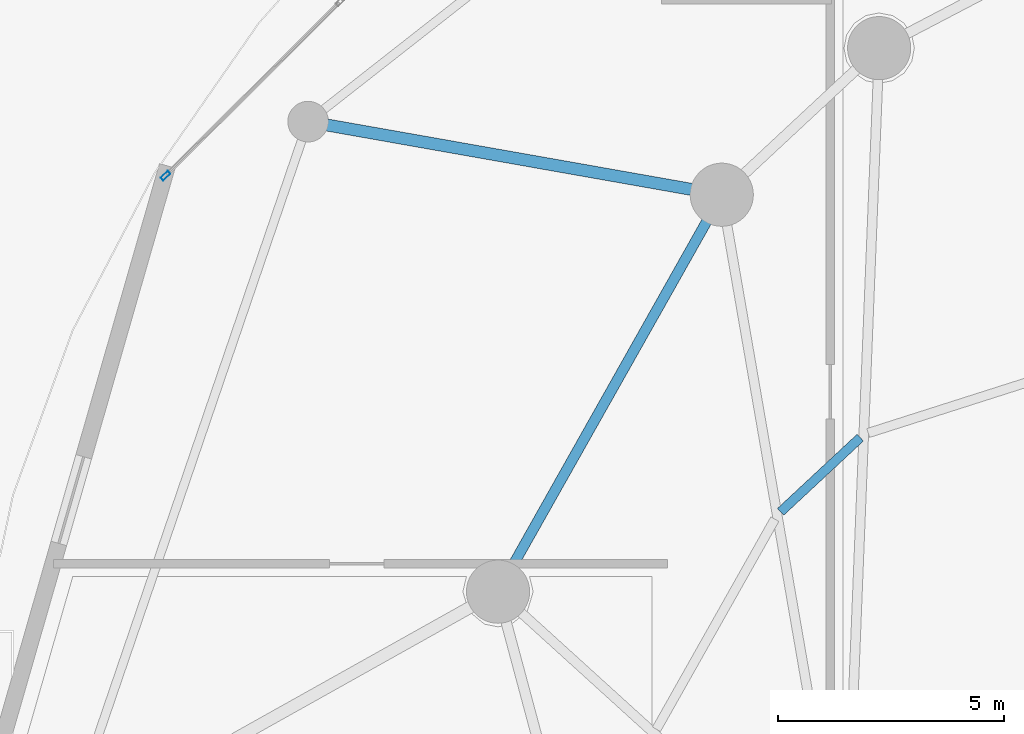
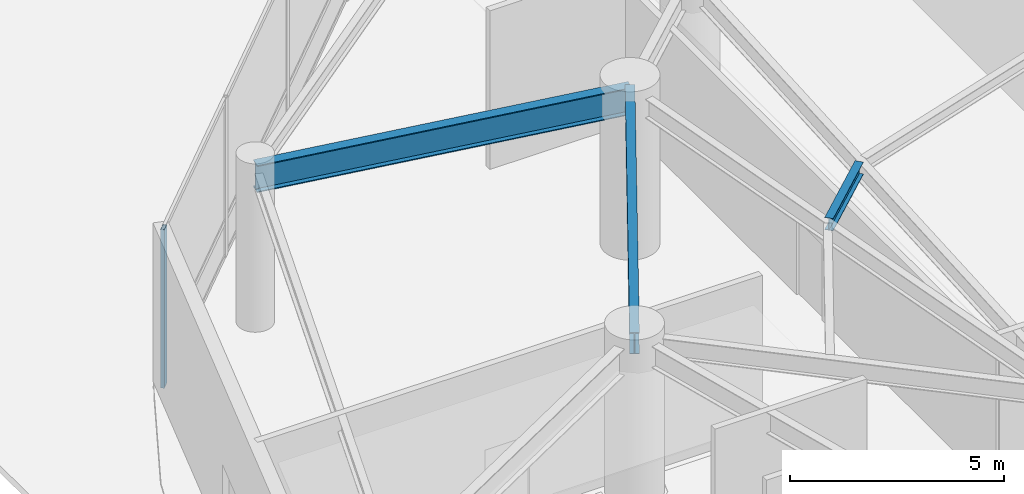
# One storey, part 6 of 35: 3 beams, 1 member, 1 element without a shape of its own.
"""IFC4 building model written with IfcOpenShell, lengths in metres."""

from ifc_helpers import new_model, si_unit, direction, frame, origin, origin_2d, place, context, subcontext, project, spatial, hollow_rectangle, i_section, extrude, material, layer, layer_set, material_profile, profile_set, type_object, element, aggregate, save


model = new_model("IFC4")

# Units and contexts
model_context = context("Model", 3, precision=1e-05, world=origin(), true_north=direction((0.0, 1.0)))
body_context = subcontext(model_context, "Body", "Model", "MODEL_VIEW")
ifc_project = project(units=[si_unit("LENGTHUNIT", "METRE"), si_unit("AREAUNIT", "SQUARE_METRE"), si_unit("VOLUMEUNIT", "CUBIC_METRE"), si_unit("PLANEANGLEUNIT", "RADIAN"), si_unit("MASSUNIT", "GRAM", prefix="KILO")], contexts=[model_context])

# Site, building, storey
site_placement = place(None, origin())
site = spatial("IfcSite", under=ifc_project, at=site_placement, CompositionType="ELEMENT")
building_placement = place(site_placement, origin())
building = spatial("IfcBuilding", under=site, at=building_placement, Name="Kazevale Care Tower and Concert Hall", CompositionType="ELEMENT")
storey_placement = place(building_placement, origin())
storey = spatial("IfcBuildingStorey", under=building, at=storey_placement, Name="L00", CompositionType="ELEMENT", Elevation=0.0)

# Curtain wall, member
ifc_material_1 = material(Name="Aluminium 6063-T6 and Low-E Glass", Category="aluminium")
ifc_layer = layer(ifc_material_1, 0.179931640625)
ifc_layer_set = layer_set([ifc_layer], Name="Aluminium 6063-T6 and Low-E Glass")
curtain_wall_type = type_object("IfcCurtainWallType", Name="Podium Double-Skin Medical Curtain Wall CW-1", PredefinedType="NOTDEFINED", material=ifc_layer_set)
curtain_wall_placement = place(storey_placement, origin())
curtain_wall = element("IfcCurtainWall", 1, at=curtain_wall_placement, inside=storey, type_object=curtain_wall_type, Name="cw:L00:pod:06", PredefinedType="NOTDEFINED")
ifc_material_2 = material(Name="Aluminium 6063-T6", Category="aluminium")
ifc_material_profile_1 = material_profile(ifc_material_2, hollow_rectangle(XDim=0.090087890625, YDim=0.219970703125, WallThickness=0.0048828125, at=origin_2d()), Name="ALU90x220x5")
ifc_profile_set_1 = profile_set([ifc_material_profile_1], Name="Aluminium 6063-T6")
member_type = type_object("IfcMemberType", Name="CW-1 Mullion ALU90x220x5", PredefinedType="MULLION", material=ifc_profile_set_1)
member_placement = place(storey_placement, frame((6.93896484375, 52.601806640625, 0.0), z_axis=(0.0, 0.0, 1.0), x_axis=(0.705655814257, -0.708554776856, 0.0)))
member = element("IfcMember", 2, at=member_placement, type_object=member_type, Name="CW-1 mullion 4", PredefinedType="MULLION", context=body_context, shape_type="SweptSolid", body=[
    extrude(hollow_rectangle(XDim=0.090087890625, YDim=0.219970703125, WallThickness=0.0048828125, at=origin_2d()), origin(), (0.0, 0.0, 1.0), 4.52001953125),
])
aggregate(curtain_wall, [member])

# Beams
ifc_material_3 = material(Name="Steel ASTM A572 Gr 50", Category="steel")
ifc_material_profile_2 = material_profile(ifc_material_3, i_section(OverallWidth=0.26806640625, OverallDepth=0.77001953125, WebThickness=0.015625, FlangeThickness=0.025390625, at=origin_2d()), Name="W760x196")
ifc_profile_set_2 = profile_set([ifc_material_profile_2], Name="Steel ASTM A572 Gr 50")
beam_type_1 = type_object("IfcBeamType", Name="Podium Primary Girder W760x196", PredefinedType="BEAM", material=ifc_profile_set_2)
beam_1_placement = place(storey_placement, frame((19.27001953125, 52.179931640625, 4.135009765625), z_axis=(-0.984748698979, 0.17398275736, 0.0), x_axis=(-0.17398275736, -0.984748698979, 0.0)))
element("IfcBeam", 3, at=beam_1_placement, inside=storey, type_object=beam_type_1, Name="beam:L00:podrad:06", PredefinedType="BEAM", context=body_context, shape_type="SweptSolid", body=[
    extrude(i_section(OverallWidth=0.26806640625, OverallDepth=0.77001953125, WebThickness=0.015625, FlangeThickness=0.025390625, at=origin_2d()), origin(), (0.0, 0.0, 1.0), 9.31201171875),
])
ifc_material_profile_3 = material_profile(ifc_material_3, i_section(OverallWidth=0.22900390625, OverallDepth=0.612060546875, WebThickness=0.011962890625, FlangeThickness=0.01953125, at=origin_2d()), Name="W610x125")
ifc_profile_set_3 = profile_set([ifc_material_profile_3], Name="Steel ASTM A572 Gr 50")
beam_type_2 = type_object("IfcBeamType", Name="Ring Spandrel Beam W610x125", PredefinedType="SPANDREL", material=ifc_profile_set_3)
beam_2_placement = place(storey_placement, frame((19.27001953125, 52.179931640625, 4.214111328125), z_axis=(-0.491008061092, -0.87115502865, 0.0), x_axis=(0.87115502865, -0.491008061092, 0.0)))
element("IfcBeam", 4, at=beam_2_placement, inside=storey, type_object=beam_type_2, Name="beam:L00:ring:08", PredefinedType="SPANDREL", context=body_context, shape_type="SweptSolid", body=[
    extrude(i_section(OverallWidth=0.22900390625, OverallDepth=0.612060546875, WebThickness=0.011962890625, FlangeThickness=0.01953125, at=origin_2d()), origin(), (0.0, 0.0, 1.0), 10.1015625),
])
ifc_material_profile_4 = material_profile(ifc_material_3, i_section(OverallWidth=0.205078125, OverallDepth=0.35400390625, WebThickness=0.009521484375, FlangeThickness=0.016845703125, at=origin_2d()), Name="W360x79")
ifc_profile_set_4 = profile_set([ifc_material_profile_4], Name="Steel ASTM A572 Gr 50")
beam_type_3 = type_object("IfcBeamType", Name="Secondary Floor Joist W360x79", PredefinedType="JOIST", material=ifc_profile_set_4)
beam_3_placement = place(storey_placement, frame((22.341064453125, 46.794921875, 4.343017578125), z_axis=(-0.73194965424, -0.68135871878, 0.0), x_axis=(0.68135871878, -0.73194965424, 0.0)))
element("IfcBeam", 5, at=beam_3_placement, inside=storey, type_object=beam_type_3, Name="beam:L00:joist:07", PredefinedType="JOIST", context=body_context, shape_type="SweptSolid", body=[
    extrude(i_section(OverallWidth=0.205078125, OverallDepth=0.35400390625, WebThickness=0.009521484375, FlangeThickness=0.016845703125, at=origin_2d()), origin(), (0.0, 0.0, 1.0), 2.412841796875),
])

save(model, "model.ifc")
